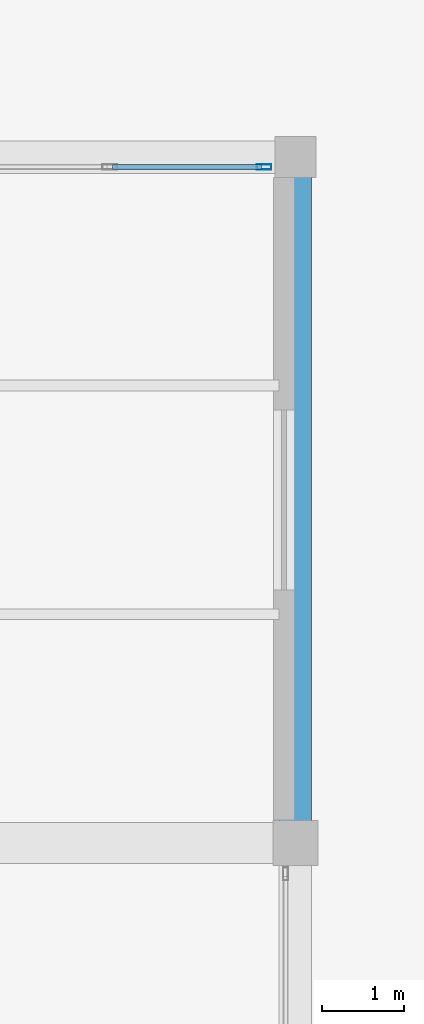
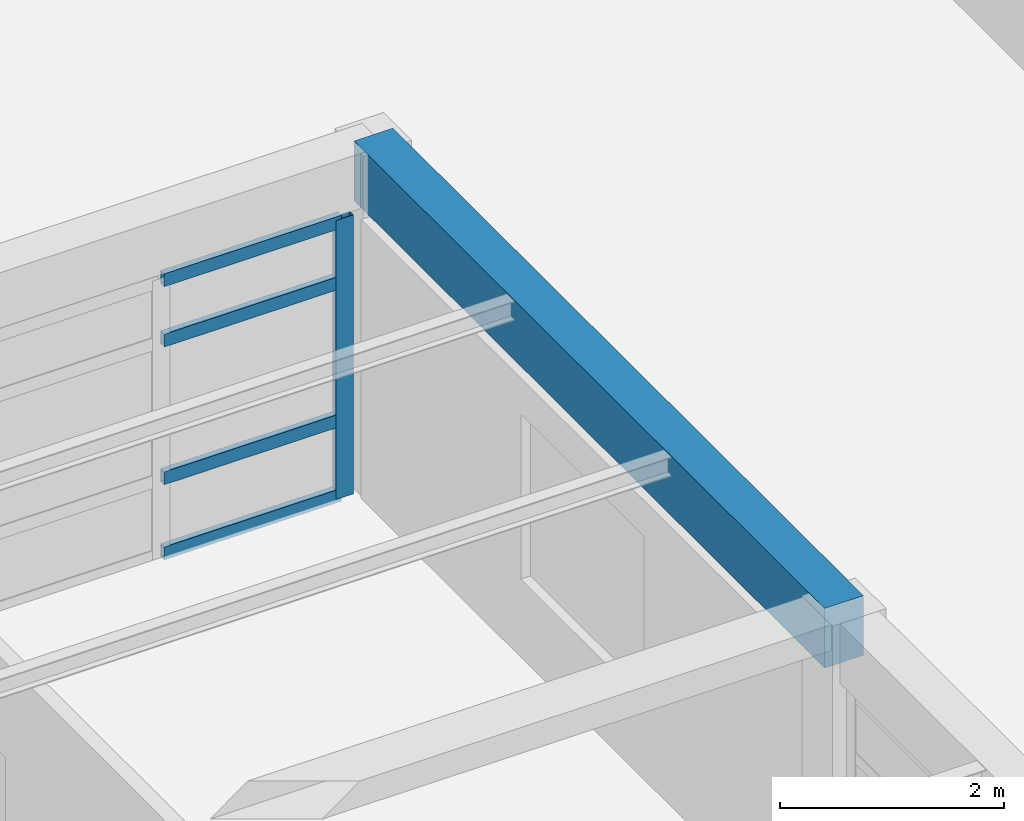
# One storey, part 17 of 22: 5 members, 1 beam, 1 element without a shape of its own.
"""IFC4 building model written with IfcOpenShell, lengths in metres."""

from ifc_helpers import new_model, si_unit, direction, frame, origin, origin_2d, place, context, subcontext, project, spatial, rectangle, hollow_rectangle, extrude, material, material_profile, profile_set, type_object, element, aggregate, save


model = new_model("IFC4")

# Units and contexts
model_context = context("Model", 3, precision=1e-05, world=origin(), true_north=direction((0.0, 1.0)))
body_context = subcontext(model_context, "Body", "Model", "MODEL_VIEW")
ifc_project = project(units=[si_unit("LENGTHUNIT", "METRE"), si_unit("AREAUNIT", "SQUARE_METRE"), si_unit("VOLUMEUNIT", "CUBIC_METRE"), si_unit("PLANEANGLEUNIT", "RADIAN"), si_unit("MASSUNIT", "GRAM", prefix="KILO")], contexts=[model_context])

# Site, building, storey
site_placement = place(None, origin())
site = spatial("IfcSite", under=ifc_project, at=site_placement, CompositionType="ELEMENT")
building_placement = place(site_placement, origin())
building = spatial("IfcBuilding", under=site, at=building_placement, Name="Almacenes y Pasaje Nevantli", CompositionType="ELEMENT")
storey_placement = place(building_placement, frame((0.0, 0.0, 58.699951171875)))
storey = spatial("IfcBuildingStorey", under=building, at=storey_placement, Name="L14", CompositionType="ELEMENT", Elevation=58.699951171875)

# Beam
ifc_material_1 = material(Name="Concrete C35/45", Category="concrete")
ifc_material_profile_1 = material_profile(ifc_material_1, rectangle(XDim=0.39990234375, YDim=0.64990234375, at=origin_2d()), Name="RC-BM-400x650")
ifc_profile_set_1 = profile_set([ifc_material_profile_1], Name="Concrete C35/45")
beam_type = type_object("IfcBeamType", Name="BM-RC-400x650", PredefinedType="SPANDREL", material=ifc_profile_set_1)
beam_placement = place(storey_placement, frame((151.199951171875, 84.0, 3.39501953125), z_axis=(0.0, 1.0, 0.0), x_axis=(-1.0, 0.0, 0.0)))
element("IfcBeam", 1, at=beam_placement, inside=storey, type_object=beam_type, Name="L14 North-South Reinforced Concrete Beam #4013", PredefinedType="SPANDREL", context=body_context, shape_type="SweptSolid", body=[
    extrude(rectangle(XDim=0.39990234375, YDim=0.64990234375, at=origin_2d()), origin(), (0.0, 0.0, 1.0), 8.39990234375),
])

# Curtain wall, members
ifc_material_2 = material(Name="Thermally Broken Aluminium and Low-E Glass", Category="aluminium")
curtain_wall_type = type_object("IfcCurtainWallType", Name="CW-UNIT-TOWER", PredefinedType="USERDEFINED", material=ifc_material_2)
curtain_wall_placement = place(storey_placement, origin())
curtain_wall = element("IfcCurtainWall", 2, at=curtain_wall_placement, inside=storey, type_object=curtain_wall_type, Name="L14 Tower North Boulevard Unitized Curtain Wall Bay 18", ObjectType="UNITIZED CURTAIN WALL", PredefinedType="USERDEFINED")
ifc_material_3 = material(Name="Thermally Broken Anodized Aluminium", Category="aluminium")
ifc_material_profile_2 = material_profile(ifc_material_3, hollow_rectangle(XDim=0.06494140625, YDim=0.179931640625, WallThickness=0.00390625, at=origin_2d()), Name="ALU-MUL-65x180")
ifc_profile_set_2 = profile_set([ifc_material_profile_2], Name="Thermally Broken Anodized Aluminium")
member_type_1 = type_object("IfcMemberType", Name="CW-MUL-200", PredefinedType="MULLION", material=ifc_profile_set_2)
member_1_placement = place(storey_placement, frame((150.8173828125, 92.280029296875, 0.0), z_axis=(0.0, 0.0, 1.0), x_axis=(0.0, 1.0, 0.0)))
member_1 = element("IfcMember", 3, at=member_1_placement, type_object=member_type_1, Name="CW-L14-180 mullion 5", PredefinedType="MULLION", context=body_context, shape_type="SweptSolid", body=[
    extrude(hollow_rectangle(XDim=0.06494140625, YDim=0.179931640625, WallThickness=0.00390625, at=origin_2d()), origin(), (0.0, 0.0, 1.0), 3.0400390625),
])
ifc_material_4 = material(Name="Thermally Broken Anodized Aluminium", Category="aluminium")
ifc_material_profile_3 = material_profile(ifc_material_4, hollow_rectangle(XDim=0.06494140625, YDim=0.139892578125, WallThickness=0.00390625, at=origin_2d()), Name="ALU-TRN-65x140")
ifc_profile_set_3 = profile_set([ifc_material_profile_3], Name="Thermally Broken Anodized Aluminium")
member_type_2 = type_object("IfcMemberType", Name="CW-TRN-150", PredefinedType="USERDEFINED", material=ifc_profile_set_3)
member_2_placement = place(storey_placement, frame((148.95751953125, 92.280029296875, 0.032470703125), z_axis=(1.0, 0.0, 0.0), x_axis=(0.0, 1.0, 0.0)))
member_2 = element("IfcMember", 4, at=member_2_placement, type_object=member_type_2, Name="CW-L14-180 transom 4.1", ObjectType="TRANSOM", PredefinedType="USERDEFINED", context=body_context, shape_type="SweptSolid", body=[
    extrude(hollow_rectangle(XDim=0.06494140625, YDim=0.139892578125, WallThickness=0.00390625, at=origin_2d()), origin(), (0.0, 0.0, 1.0), 1.827392578125),
])
member_3_placement = place(storey_placement, frame((148.95751953125, 92.280029296875, 0.85009765625), z_axis=(1.0, 0.0, 0.0), x_axis=(0.0, 1.0, 0.0)))
member_3 = element("IfcMember", 5, at=member_3_placement, type_object=member_type_2, Name="CW-L14-180 transom 4.2", ObjectType="TRANSOM", PredefinedType="USERDEFINED", context=body_context, shape_type="SweptSolid", body=[
    extrude(hollow_rectangle(XDim=0.06494140625, YDim=0.139892578125, WallThickness=0.00390625, at=origin_2d()), origin(), (0.0, 0.0, 1.0), 1.827392578125),
])
member_4_placement = place(storey_placement, frame((148.95751953125, 92.280029296875, 2.35009765625), z_axis=(1.0, 0.0, 0.0), x_axis=(0.0, 1.0, 0.0)))
member_4 = element("IfcMember", 6, at=member_4_placement, type_object=member_type_2, Name="CW-L14-180 transom 4.3", ObjectType="TRANSOM", PredefinedType="USERDEFINED", context=body_context, shape_type="SweptSolid", body=[
    extrude(hollow_rectangle(XDim=0.06494140625, YDim=0.139892578125, WallThickness=0.00390625, at=origin_2d()), origin(), (0.0, 0.0, 1.0), 1.827392578125),
])
member_5_placement = place(storey_placement, frame((148.95751953125, 92.280029296875, 3.007568359375), z_axis=(1.0, 0.0, 0.0), x_axis=(0.0, 1.0, 0.0)))
member_5 = element("IfcMember", 7, at=member_5_placement, type_object=member_type_2, Name="CW-L14-180 transom 4.4", ObjectType="TRANSOM", PredefinedType="USERDEFINED", context=body_context, shape_type="SweptSolid", body=[
    extrude(hollow_rectangle(XDim=0.06494140625, YDim=0.139892578125, WallThickness=0.00390625, at=origin_2d()), origin(), (0.0, 0.0, 1.0), 1.827392578125),
])
aggregate(curtain_wall, [member_1, member_2, member_3, member_4, member_5])

save(model, "model.ifc")
